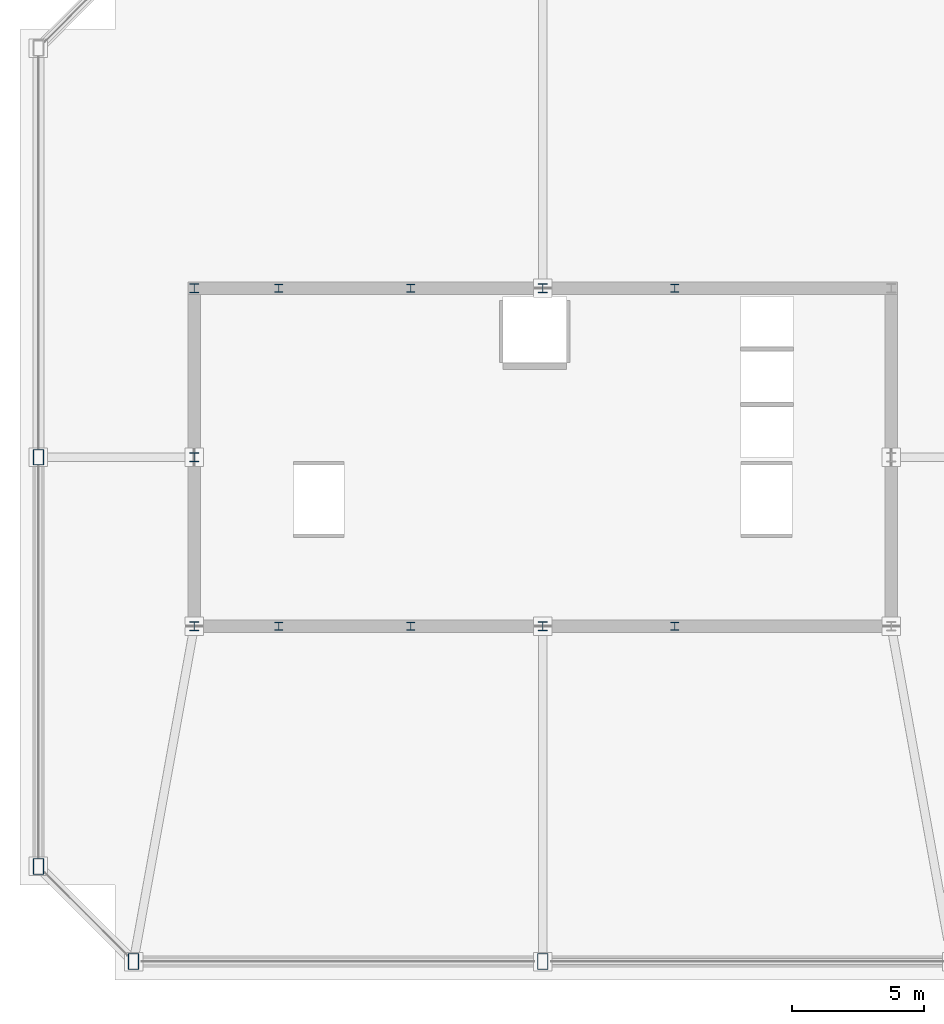
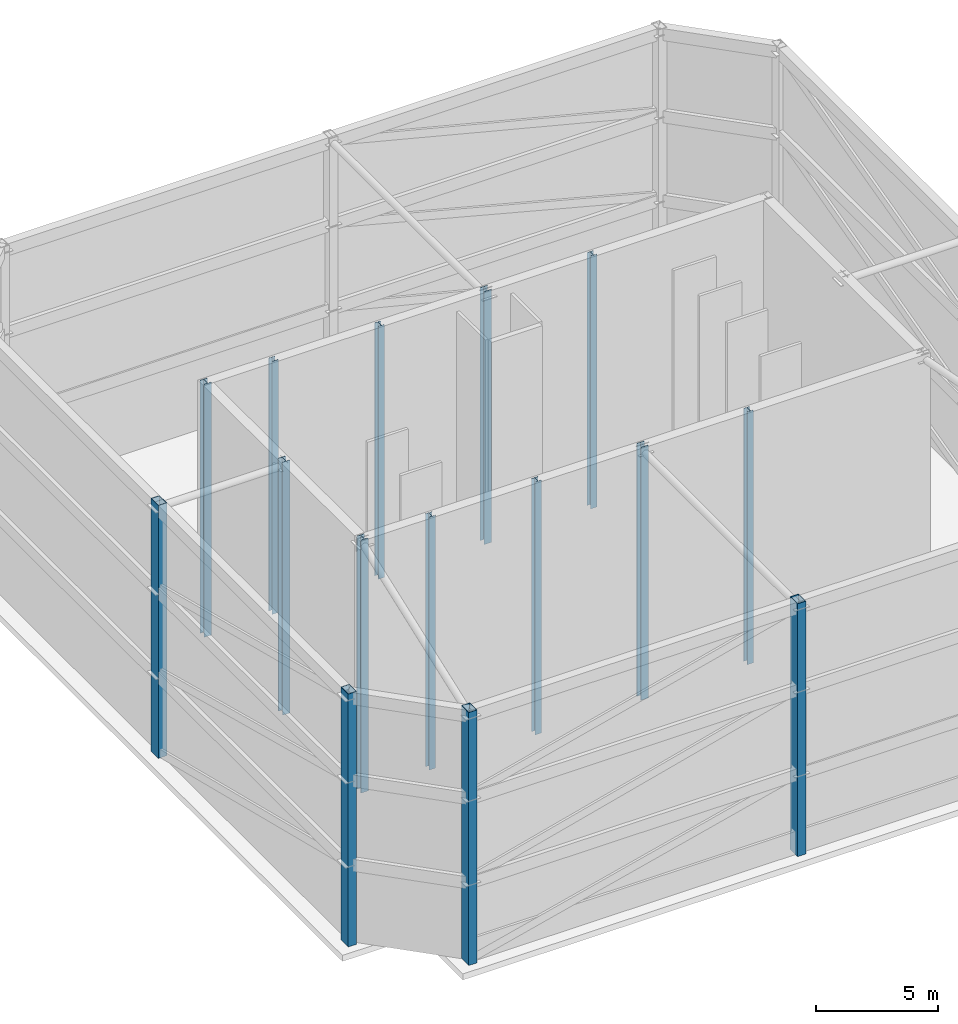
# One storey, part 1 of 6: 15 columns.
"""IFC4 building model written with IfcOpenShell, lengths in metres."""

from ifc_helpers import new_model, si_unit, direction, frame, origin, origin_2d, place, context, subcontext, project, spatial, hollow_rectangle, i_section, extrude, source, transform, mapped, material, material_profile, profile_set, type_object, element, save


model = new_model("IFC4")

# Units and contexts
model_context = context("Model", 3, precision=1e-05, world=origin(), true_north=direction((0.0, 1.0)))
body_context = subcontext(model_context, "Body", "Model", "MODEL_VIEW")
ifc_project = project(units=[si_unit("LENGTHUNIT", "METRE"), si_unit("AREAUNIT", "SQUARE_METRE"), si_unit("VOLUMEUNIT", "CUBIC_METRE"), si_unit("PLANEANGLEUNIT", "RADIAN"), si_unit("MASSUNIT", "GRAM", prefix="KILO"), si_unit("THERMODYNAMICTEMPERATUREUNIT", "KELVIN"), si_unit("POWERUNIT", "WATT")], contexts=[model_context])

# Site, building, storey
site_placement = place(None, origin())
site = spatial("IfcSite", under=ifc_project, at=site_placement, CompositionType="ELEMENT")
building_placement = place(site_placement, origin())
building = spatial("IfcBuilding", under=site, at=building_placement, Name="Yuzanri Waterfront Tower", CompositionType="ELEMENT")
storey_placement = place(building_placement, frame((0.0, 0.0, 351.199951171875)))
storey = spatial("IfcBuildingStorey", under=building, at=storey_placement, Name="L94", CompositionType="ELEMENT", Elevation=351.199951171875)

# Columns
ifc_material_1 = material(Name="Steel Q355B", Category="steel")
ifc_material_profile_1 = material_profile(ifc_material_1, hollow_rectangle(XDim=0.39990234375, YDim=0.60009765625, WallThickness=0.02392578125, at=origin_2d()), Name="RHS 600x400x24")
ifc_profile_set_1 = profile_set([ifc_material_profile_1], Name="Steel Q355B")
column_type_1 = type_object("IfcColumnType", Name="Crown Frame Post Q355B RHS 600x400x24", PredefinedType="COLUMN", material=ifc_profile_set_1)
shared_shape_1 = source(origin(), body_context, "Body", "SweptSolid", [
    extrude(hollow_rectangle(XDim=0.39990234375, YDim=0.60009765625, WallThickness=0.02392578125, at=origin_2d()), origin(), (0.0, 0.0, 1.0), 12.60009765625),
])
for number, where, z_axis, x_axis, name in (
    (1, (21.5, 6.699951171875, 0.0), (0.0, 0.0, 1.0), (1.0, 0.0, 0.0), "L94 CROWN FRAME Perimeter Post CS1"),
    (2, (37.0, 6.699951171875, 0.0), (0.0, 0.0, 1.0), (1.0, 0.0, 0.0), "L94 CROWN FRAME Perimeter Post CS2"),
    (3, (17.89990234375, 25.800048828125, 0.0), (0.0, 0.0, 1.0), (1.0, 0.0, 0.0), "L94 CROWN FRAME Perimeter Post CW2"),
    (4, (17.89990234375, 10.300048828125, 0.0), (0.0, 0.0, 1.0), (1.0, 0.0, 0.0), "L94 CROWN FRAME Perimeter Post CW1"),
):
    element("IfcColumn", number, at=place(storey_placement, frame(where, z_axis=z_axis, x_axis=x_axis)), inside=storey, type_object=column_type_1, Name=name, PredefinedType="COLUMN", context=body_context, shape_type="MappedRepresentation", body=[
        mapped(shared_shape_1, transform((0.0, 0.0, 0.0), scale=1.0)),
    ])
ifc_material_2 = material(Name="Steel Q355B", Category="steel")
ifc_material_profile_2 = material_profile(ifc_material_2, i_section(OverallWidth=0.35009765625, OverallDepth=0.35009765625, WebThickness=0.011962890625, FlangeThickness=0.01904296875, at=origin_2d()), Name="HW 350x350x12x19")
ifc_profile_set_2 = profile_set([ifc_material_profile_2], Name="Steel Q355B")
column_type_2 = type_object("IfcColumnType", Name="Core Post Q355B HW 350x350x12x19", PredefinedType="COLUMN", material=ifc_profile_set_2)
shared_shape_2 = source(origin(), body_context, "Body", "SweptSolid", [
    extrude(i_section(OverallWidth=0.35009765625, OverallDepth=0.35009765625, WebThickness=0.011962890625, FlangeThickness=0.01904296875, at=origin_2d()), origin(), (0.0, 0.0, 1.0), 12.60009765625),
])
for number, where, z_axis, x_axis, name in (
    (5, (23.800048828125, 19.39990234375, 0.0), (0.0, 0.0, 1.0), (1.0, 0.0, 0.0), "L94 Crown Core Post CP1"),
    (6, (37.0, 19.39990234375, 0.0), (0.0, 0.0, 1.0), (1.0, 0.0, 0.0), "L94 Crown Core Post CP2"),
    (7, (37.0, 32.199951171875, 0.0), (0.0, 0.0, 1.0), (1.0, 0.0, 0.0), "L94 Crown Core Post CP7"),
    (8, (23.800048828125, 32.199951171875, 0.0), (0.0, 0.0, 1.0), (1.0, 0.0, 0.0), "L94 Crown Core Post CP6"),
    (9, (23.800048828125, 25.800048828125, 0.0), (0.0, 0.0, 1.0), (1.0, 0.0, 0.0), "L94 Crown Core Post CP4"),
):
    element("IfcColumn", number, at=place(storey_placement, frame(where, z_axis=z_axis, x_axis=x_axis)), inside=storey, type_object=column_type_2, Name=name, PredefinedType="COLUMN", context=body_context, shape_type="MappedRepresentation", body=[
        mapped(shared_shape_2, transform((0.0, 0.0, 0.0), scale=1.0)),
    ])
ifc_material_3 = material(Name="Steel Q355B", Category="steel")
ifc_material_profile_3 = material_profile(ifc_material_3, i_section(OverallWidth=0.300048828125, OverallDepth=0.300048828125, WebThickness=0.010009765625, FlangeThickness=0.014892578125, at=origin_2d()), Name="HW 300x300x10x15")
ifc_profile_set_3 = profile_set([ifc_material_profile_3], Name="Steel Q355B")
column_type_3 = type_object("IfcColumnType", Name="Crown Core Post Q355B HW 300x300x10x15", PredefinedType="COLUMN", material=ifc_profile_set_3)
shared_shape_3 = source(origin(), body_context, "Body", "SweptSolid", [
    extrude(i_section(OverallWidth=0.300048828125, OverallDepth=0.300048828125, WebThickness=0.010009765625, FlangeThickness=0.014892578125, at=origin_2d()), origin(), (0.0, 0.0, 1.0), 12.60009765625),
])
for number, where, z_axis, x_axis, name in (
    (10, (27.0, 19.39990234375, 0.0), (0.0, 0.0, 1.0), (1.0, 0.0, 0.0), "L94 Crown Secondary Core Post 1"),
    (11, (32.0, 19.39990234375, 0.0), (0.0, 0.0, 1.0), (1.0, 0.0, 0.0), "L94 Crown Secondary Core Post 2"),
    (12, (42.0, 19.39990234375, 0.0), (0.0, 0.0, 1.0), (1.0, 0.0, 0.0), "L94 Crown Secondary Core Post 3"),
    (13, (27.0, 32.199951171875, 0.0), (0.0, 0.0, 1.0), (1.0, 0.0, 0.0), "L94 Crown Secondary Core Post 4"),
    (14, (32.0, 32.199951171875, 0.0), (0.0, 0.0, 1.0), (1.0, 0.0, 0.0), "L94 Crown Secondary Core Post 5"),
    (15, (42.0, 32.199951171875, 0.0), (0.0, 0.0, 1.0), (1.0, 0.0, 0.0), "L94 Crown Secondary Core Post 6"),
):
    element("IfcColumn", number, at=place(storey_placement, frame(where, z_axis=z_axis, x_axis=x_axis)), inside=storey, type_object=column_type_3, Name=name, PredefinedType="COLUMN", context=body_context, shape_type="MappedRepresentation", body=[
        mapped(shared_shape_3, transform((0.0, 0.0, 0.0), scale=1.0)),
    ])

save(model, "model.ifc")
